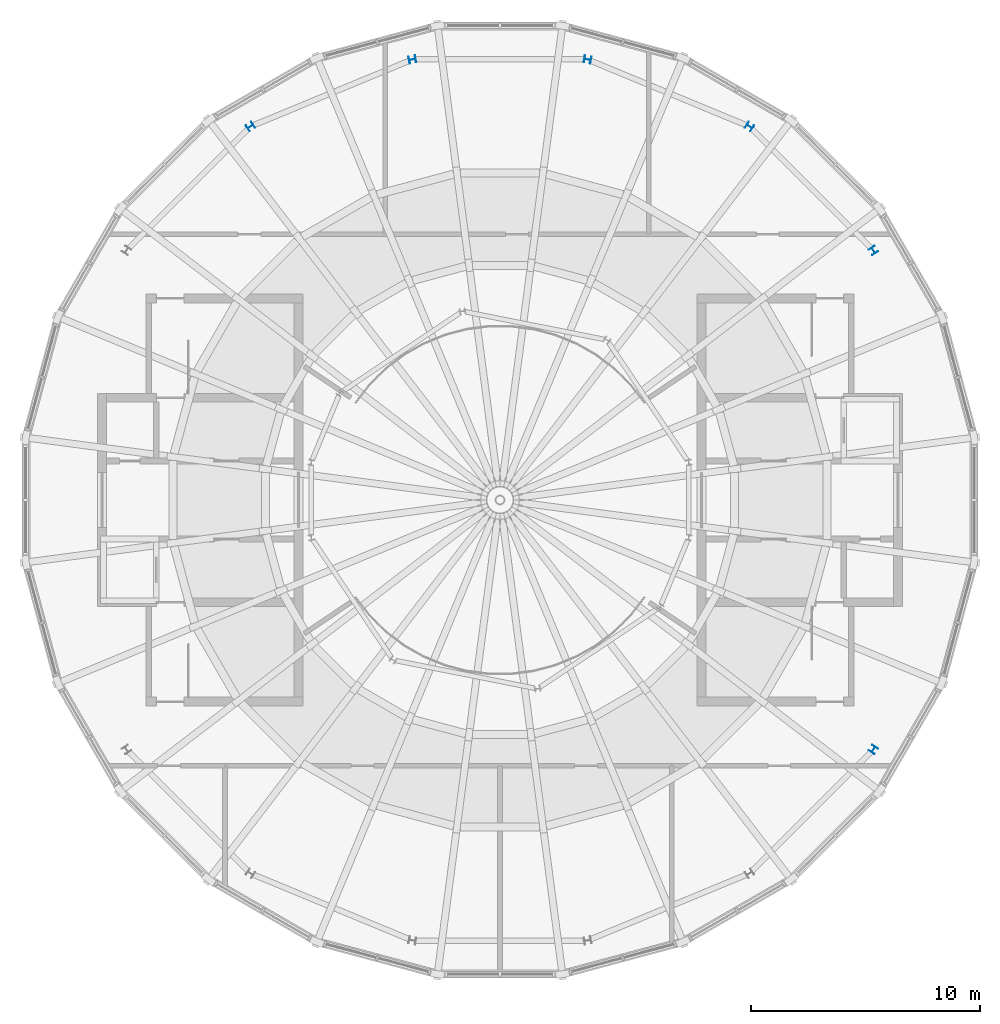
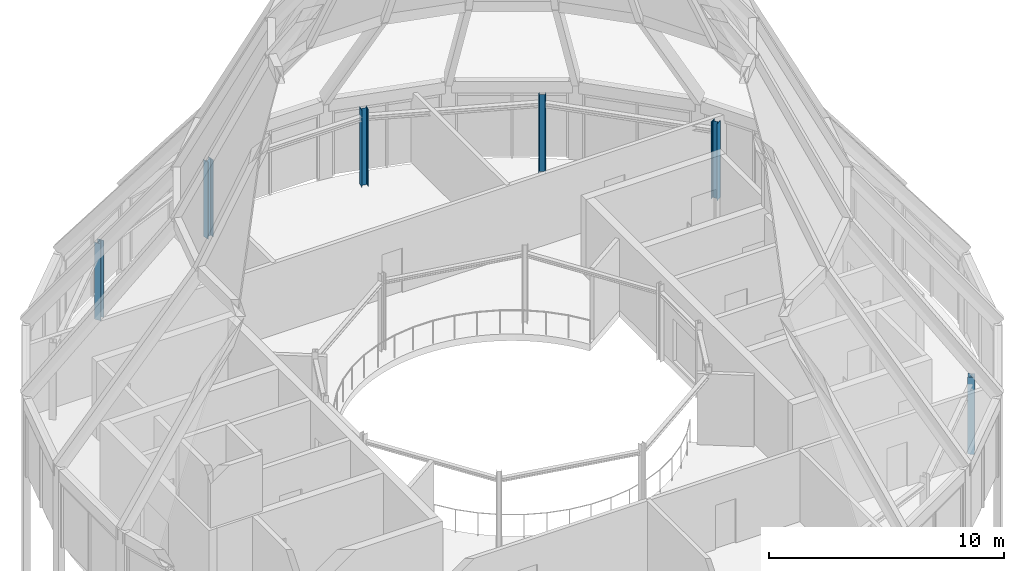
# One storey, part 3 of 16: 6 columns.
"""IFC4 building model written with IfcOpenShell, lengths in metres."""

from ifc_helpers import new_model, si_unit, direction, frame, origin, origin_2d, place, context, subcontext, project, spatial, i_section, extrude, material, material_profile, profile_set, type_object, element, save


model = new_model("IFC4")

# Units and contexts
model_context = context("Model", 3, precision=1e-05, world=origin(), true_north=direction((0.0, 1.0)))
body_context = subcontext(model_context, "Body", "Model", "MODEL_VIEW")
ifc_project = project(units=[si_unit("LENGTHUNIT", "METRE"), si_unit("AREAUNIT", "SQUARE_METRE"), si_unit("VOLUMEUNIT", "CUBIC_METRE"), si_unit("PLANEANGLEUNIT", "RADIAN"), si_unit("MASSUNIT", "GRAM", prefix="KILO")], contexts=[model_context])

# Site, building, storey
site_placement = place(None, origin())
site = spatial("IfcSite", under=ifc_project, at=site_placement, CompositionType="ELEMENT")
building_placement = place(site_placement, origin())
building = spatial("IfcBuilding", under=site, at=building_placement, Name="Maasbend Ring Residences", CompositionType="ELEMENT")
storey_placement = place(building_placement, frame((0.0, 0.0, 269.5)))
storey = spatial("IfcBuildingStorey", under=building, at=storey_placement, Name="L77", CompositionType="ELEMENT", Elevation=269.5)

# Columns
ifc_material = material(Name="Steel S355J2", Category="steel")
ifc_material_profile = material_profile(ifc_material, i_section(OverallWidth=0.300048828125, OverallDepth=0.300048828125, WebThickness=0.010986328125, FlangeThickness=0.01904296875, FilletRadius=0.027099609375, at=origin_2d()), Name="HEB 300")
ifc_profile_set = profile_set([ifc_material_profile], Name="Steel S355J2")
column_type = type_object("IfcColumnType", Name="Steel column HEB 300", PredefinedType="COLUMN", material=ifc_profile_set)
for number, where, z_axis, x_axis, name in (
    (1, (16.296875, 10.88916015625, 0.0), (0.0, 0.0, 1.0), (0.831469612303, 0.55557023302, 0.0), "Corridor ring column R2"),
    (2, (10.88916015625, 16.296875, 0.0), (0.0, 0.0, 1.0), (0.55557023302, 0.831469612303, 0.0), "Corridor ring column R3"),
    (3, (3.82373046875, 19.223388671875, 0.0), (0.0, 0.0, 1.0), (0.195090322016, 0.980785280403, 0.0), "Corridor ring column R4"),
    (4, (-3.82373046875, 19.223388671875, 0.0), (0.0, 0.0, 1.0), (-0.195090322016, 0.980785280403, 0.0), "Corridor ring column R5"),
    (5, (-10.88916015625, 16.296875, 0.0), (0.0, 0.0, 1.0), (-0.55557023302, 0.831469612303, 0.0), "Corridor ring column R6"),
    (6, (16.296875, -10.88916015625, 0.0), (0.0, 0.0, 1.0), (0.831469612303, -0.55557023302, 0.0), "Corridor ring column R15"),
):
    element("IfcColumn", number, at=place(storey_placement, frame(where, z_axis=z_axis, x_axis=x_axis)), inside=storey, type_object=column_type, Name=name, PredefinedType="COLUMN", context=body_context, shape_type="SweptSolid", body=[
        extrude(i_section(OverallWidth=0.300048828125, OverallDepth=0.300048828125, WebThickness=0.010986328125, FlangeThickness=0.01904296875, FilletRadius=0.027099609375, at=origin_2d()), origin(), (0.0, 0.0, 1.0), 4.0),
    ])

save(model, "model.ifc")
